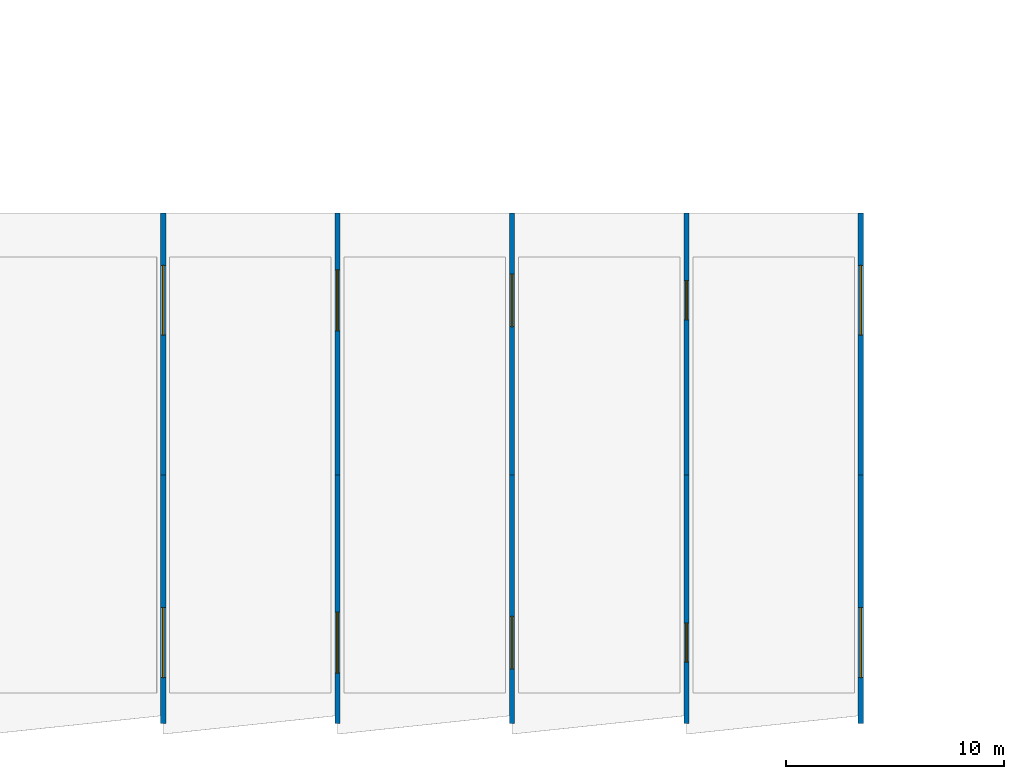
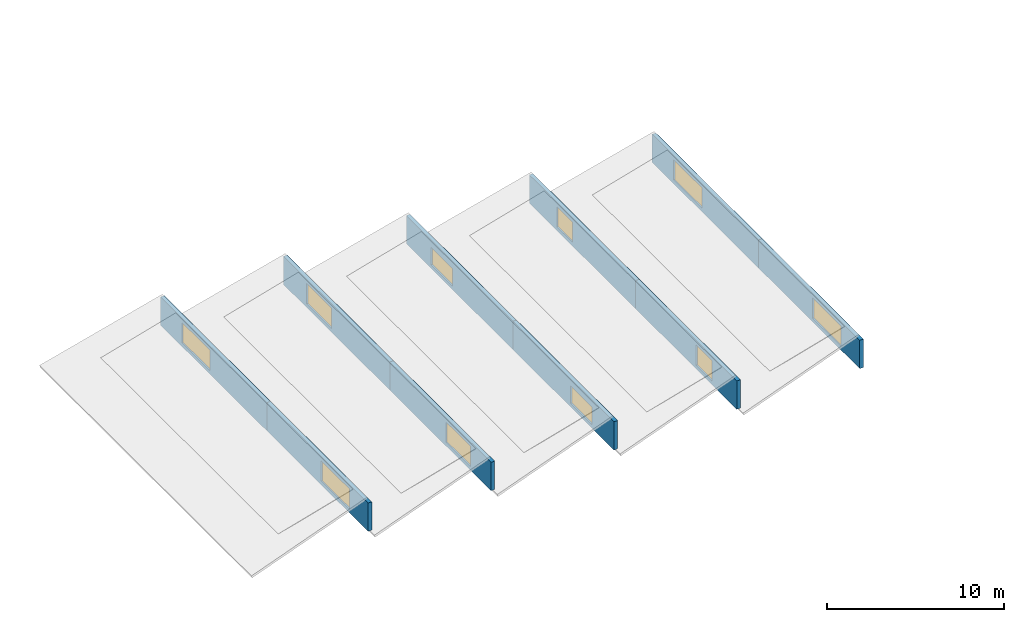
# One storey, part 25 of 35: 10 walls, 10 windows, 10 openings.
"""IFC4 building model written with IfcOpenShell, lengths in metres."""

from ifc_helpers import new_model, si_unit, direction, frame, frame_2d, origin, place, context, subcontext, project, spatial, rectangle, extrude, material, layer, layer_set, type_object, element, fill, save


model = new_model("IFC4")

# Units and contexts
model_context = context("Model", 3, precision=1e-05, world=origin(), true_north=direction((0.0, 1.0)))
body_context = subcontext(model_context, "Body", "Model", "MODEL_VIEW")
ifc_project = project(units=[si_unit("LENGTHUNIT", "METRE"), si_unit("AREAUNIT", "SQUARE_METRE"), si_unit("VOLUMEUNIT", "CUBIC_METRE"), si_unit("PLANEANGLEUNIT", "RADIAN"), si_unit("MASSUNIT", "GRAM", prefix="KILO")], contexts=[model_context])

# Site, building, storey
site_placement = place(None, origin())
site = spatial("IfcSite", under=ifc_project, at=site_placement, CompositionType="ELEMENT")
building_placement = place(site_placement, origin())
building = spatial("IfcBuilding", under=site, at=building_placement, Name="Canggui Botanical Conservatory", CompositionType="ELEMENT")
storey_placement = place(building_placement, frame((0.0, 0.0, 15.0)))
storey = spatial("IfcBuildingStorey", under=building, at=storey_placement, Name="L04", CompositionType="ELEMENT", Elevation=15.0)

# Wall, opening, window
ifc_material_1 = material(Name="Precast Concrete C40", Category="concrete")
ifc_layer = layer(ifc_material_1, 0.239990234375, Name="Precast Concrete C40", Category="concrete")
ifc_layer_set = layer_set([ifc_layer], Name="Precast Concrete C40")
wall_type = type_object("IfcWallType", Name="EW-240", PredefinedType="STANDARD", material=ifc_layer_set)
wall_1_placement = place(storey_placement, frame((34.0, 10.60009765625, 0.0), z_axis=(0.0, 0.0, 1.0), x_axis=(0.0, 1.0, 0.0)))
wall_1 = element("IfcWall", 1, at=wall_1_placement, inside=storey, type_object=wall_type, Name="Visitor Sawtooth Clerestory Wall 1A", PredefinedType="STANDARD", context=body_context, shape_type="SweptSolid", body=[
    extrude(rectangle(XDim=11.39990234375, YDim=0.239990234375, at=frame_2d((5.699951171875, 0.0))), origin(), (0.0, 0.0, 1.0), 1.949951171875),
])
opening_1_placement = place(wall_1_placement, frame((2.10009765625, 0.0, 0.25)))
opening_1 = element("IfcOpeningElement", 2, at=opening_1_placement, cuts=wall_1, Name="Opening SK-01", PredefinedType="OPENING", context=body_context, shape_type="SweptSolid", body=[
    extrude(rectangle(XDim=3.199951171875, YDim=1.39990234375, at=frame_2d((1.60009765625, 0.699951171875))), frame((0.0, 0.1298828125, 0.0), z_axis=(0.0, -1.0, 0.0), x_axis=(1.0, 0.0, 0.0)), (0.0, 0.0, 1.0), 0.260009765625),
])
ifc_material_2 = material(Name="Low-E Insulated Glass", Category="glass")
window_type_1 = type_object("IfcWindowType", Name="SKY-01", PartitioningType="SINGLE_PANEL", PredefinedType="SKYLIGHT", material=ifc_material_2)
window_1_placement = place(opening_1_placement, origin())
window_1 = element("IfcWindow", 3, at=window_1_placement, inside=storey, type_object=window_type_1, Name="Sawtooth North-Light Skylight SK-1A", OverallHeight=1.39990234375, OverallWidth=3.199951171875, PartitioningType="SINGLE_PANEL", PredefinedType="SKYLIGHT", context=body_context, shape_type="SweptSolid", body=[
    extrude(rectangle(XDim=3.199951171875, YDim=1.39990234375, at=frame_2d((1.60009765625, 0.699951171875))), frame((0.0, 0.030029296875, 0.0), z_axis=(0.0, -1.0, 0.0), x_axis=(1.0, 0.0, 0.0)), (0.0, 0.0, 1.0), 0.06005859375),
])
fill(opening_1, window_1)

wall_2_placement = place(storey_placement, frame((34.0, 22.0, 0.0), z_axis=(0.0, 0.0, 1.0), x_axis=(0.0, 1.0, 0.0)))
wall_2 = element("IfcWall", 4, at=wall_2_placement, inside=storey, type_object=wall_type, Name="Visitor Sawtooth Clerestory Wall 1B", PredefinedType="STANDARD", context=body_context, shape_type="SweptSolid", body=[
    extrude(rectangle(XDim=12.0, YDim=0.239990234375, at=frame_2d((6.0, 0.0))), origin(), (0.0, 0.0, 1.0), 1.949951171875),
])
opening_2_placement = place(wall_2_placement, frame((6.39990234375, 0.0, 0.25)))
opening_2 = element("IfcOpeningElement", 5, at=opening_2_placement, cuts=wall_2, Name="Opening SK-01", PredefinedType="OPENING", context=body_context, shape_type="SweptSolid", body=[
    extrude(rectangle(XDim=3.199951171875, YDim=1.39990234375, at=frame_2d((1.60009765625, 0.699951171875))), frame((0.0, 0.1298828125, 0.0), z_axis=(0.0, -1.0, 0.0), x_axis=(1.0, 0.0, 0.0)), (0.0, 0.0, 1.0), 0.260009765625),
])
window_2_placement = place(opening_2_placement, origin())
window_2 = element("IfcWindow", 6, at=window_2_placement, inside=storey, type_object=window_type_1, Name="Sawtooth North-Light Skylight SK-1B", OverallHeight=1.39990234375, OverallWidth=3.199951171875, PartitioningType="SINGLE_PANEL", PredefinedType="SKYLIGHT", context=body_context, shape_type="SweptSolid", body=[
    extrude(rectangle(XDim=3.199951171875, YDim=1.39990234375, at=frame_2d((1.60009765625, 0.699951171875))), frame((0.0, 0.030029296875, 0.0), z_axis=(0.0, -1.0, 0.0), x_axis=(1.0, 0.0, 0.0)), (0.0, 0.0, 1.0), 0.06005859375),
])
fill(opening_2, window_2)

wall_3_placement = place(storey_placement, frame((42.0, 10.60009765625, 0.0), z_axis=(0.0, 0.0, 1.0), x_axis=(0.0, 1.0, 0.0)))
wall_3 = element("IfcWall", 7, at=wall_3_placement, inside=storey, type_object=wall_type, Name="Visitor Sawtooth Clerestory Wall 2A", PredefinedType="STANDARD", context=body_context, shape_type="SweptSolid", body=[
    extrude(rectangle(XDim=11.39990234375, YDim=0.239990234375, at=frame_2d((5.699951171875, 0.0))), origin(), (0.0, 0.0, 1.0), 1.949951171875),
])
opening_3_placement = place(wall_3_placement, frame((2.300048828125, 0.0, 0.25)))
opening_3 = element("IfcOpeningElement", 8, at=opening_3_placement, cuts=wall_3, Name="Opening SK-02", PredefinedType="OPENING", context=body_context, shape_type="SweptSolid", body=[
    extrude(rectangle(XDim=2.800048828125, YDim=1.39990234375, at=frame_2d((1.39990234375, 0.699951171875))), frame((0.0, 0.1298828125, 0.0), z_axis=(0.0, -1.0, 0.0), x_axis=(1.0, 0.0, 0.0)), (0.0, 0.0, 1.0), 0.260009765625),
])
window_type_2 = type_object("IfcWindowType", Name="SKY-02", PartitioningType="SINGLE_PANEL", PredefinedType="SKYLIGHT", material=ifc_material_2)
window_3_placement = place(opening_3_placement, origin())
window_3 = element("IfcWindow", 9, at=window_3_placement, inside=storey, type_object=window_type_2, Name="Sawtooth North-Light Skylight SK-2A", OverallHeight=1.39990234375, OverallWidth=2.800048828125, PartitioningType="SINGLE_PANEL", PredefinedType="SKYLIGHT", context=body_context, shape_type="SweptSolid", body=[
    extrude(rectangle(XDim=2.800048828125, YDim=1.39990234375, at=frame_2d((1.39990234375, 0.699951171875))), frame((0.0, 0.030029296875, 0.0), z_axis=(0.0, -1.0, 0.0), x_axis=(1.0, 0.0, 0.0)), (0.0, 0.0, 1.0), 0.06005859375),
])
fill(opening_3, window_3)

wall_4_placement = place(storey_placement, frame((42.0, 22.0, 0.0), z_axis=(0.0, 0.0, 1.0), x_axis=(0.0, 1.0, 0.0)))
wall_4 = element("IfcWall", 10, at=wall_4_placement, inside=storey, type_object=wall_type, Name="Visitor Sawtooth Clerestory Wall 2B", PredefinedType="STANDARD", context=body_context, shape_type="SweptSolid", body=[
    extrude(rectangle(XDim=12.0, YDim=0.239990234375, at=frame_2d((6.0, 0.0))), origin(), (0.0, 0.0, 1.0), 1.949951171875),
])
opening_4_placement = place(wall_4_placement, frame((6.60009765625, 0.0, 0.25)))
opening_4 = element("IfcOpeningElement", 11, at=opening_4_placement, cuts=wall_4, Name="Opening SK-02", PredefinedType="OPENING", context=body_context, shape_type="SweptSolid", body=[
    extrude(rectangle(XDim=2.800048828125, YDim=1.39990234375, at=frame_2d((1.39990234375, 0.699951171875))), frame((0.0, 0.1298828125, 0.0), z_axis=(0.0, -1.0, 0.0), x_axis=(1.0, 0.0, 0.0)), (0.0, 0.0, 1.0), 0.260009765625),
])
window_4_placement = place(opening_4_placement, origin())
window_4 = element("IfcWindow", 12, at=window_4_placement, inside=storey, type_object=window_type_2, Name="Sawtooth North-Light Skylight SK-2B", OverallHeight=1.39990234375, OverallWidth=2.800048828125, PartitioningType="SINGLE_PANEL", PredefinedType="SKYLIGHT", context=body_context, shape_type="SweptSolid", body=[
    extrude(rectangle(XDim=2.800048828125, YDim=1.39990234375, at=frame_2d((1.39990234375, 0.699951171875))), frame((0.0, 0.030029296875, 0.0), z_axis=(0.0, -1.0, 0.0), x_axis=(1.0, 0.0, 0.0)), (0.0, 0.0, 1.0), 0.06005859375),
])
fill(opening_4, window_4)

wall_5_placement = place(storey_placement, frame((50.0, 10.60009765625, 0.0), z_axis=(0.0, 0.0, 1.0), x_axis=(0.0, 1.0, 0.0)))
wall_5 = element("IfcWall", 13, at=wall_5_placement, inside=storey, type_object=wall_type, Name="Visitor Sawtooth Clerestory Wall 3A", PredefinedType="STANDARD", context=body_context, shape_type="SweptSolid", body=[
    extrude(rectangle(XDim=11.39990234375, YDim=0.239990234375, at=frame_2d((5.699951171875, 0.0))), origin(), (0.0, 0.0, 1.0), 1.949951171875),
])
opening_5_placement = place(wall_5_placement, frame((2.5, 0.0, 0.25)))
opening_5 = element("IfcOpeningElement", 14, at=opening_5_placement, cuts=wall_5, Name="Opening SK-03", PredefinedType="OPENING", context=body_context, shape_type="SweptSolid", body=[
    extrude(rectangle(XDim=2.39990234375, YDim=1.199951171875, at=frame_2d((1.199951171875, 0.60009765625))), frame((0.0, 0.1298828125, 0.0), z_axis=(0.0, -1.0, 0.0), x_axis=(1.0, 0.0, 0.0)), (0.0, 0.0, 1.0), 0.260009765625),
])
window_type_3 = type_object("IfcWindowType", Name="SKY-03", PartitioningType="SINGLE_PANEL", PredefinedType="SKYLIGHT", material=ifc_material_2)
window_5_placement = place(opening_5_placement, origin())
window_5 = element("IfcWindow", 15, at=window_5_placement, inside=storey, type_object=window_type_3, Name="Sawtooth North-Light Skylight SK-3A", OverallHeight=1.199951171875, OverallWidth=2.39990234375, PartitioningType="SINGLE_PANEL", PredefinedType="SKYLIGHT", context=body_context, shape_type="SweptSolid", body=[
    extrude(rectangle(XDim=2.39990234375, YDim=1.199951171875, at=frame_2d((1.199951171875, 0.60009765625))), frame((0.0, 0.030029296875, 0.0), z_axis=(0.0, -1.0, 0.0), x_axis=(1.0, 0.0, 0.0)), (0.0, 0.0, 1.0), 0.06005859375),
])
fill(opening_5, window_5)

wall_6_placement = place(storey_placement, frame((50.0, 22.0, 0.0), z_axis=(0.0, 0.0, 1.0), x_axis=(0.0, 1.0, 0.0)))
wall_6 = element("IfcWall", 16, at=wall_6_placement, inside=storey, type_object=wall_type, Name="Visitor Sawtooth Clerestory Wall 3B", PredefinedType="STANDARD", context=body_context, shape_type="SweptSolid", body=[
    extrude(rectangle(XDim=12.0, YDim=0.239990234375, at=frame_2d((6.0, 0.0))), origin(), (0.0, 0.0, 1.0), 1.949951171875),
])
opening_6_placement = place(wall_6_placement, frame((6.800048828125, 0.0, 0.25)))
opening_6 = element("IfcOpeningElement", 17, at=opening_6_placement, cuts=wall_6, Name="Opening SK-03", PredefinedType="OPENING", context=body_context, shape_type="SweptSolid", body=[
    extrude(rectangle(XDim=2.39990234375, YDim=1.199951171875, at=frame_2d((1.199951171875, 0.60009765625))), frame((0.0, 0.1298828125, 0.0), z_axis=(0.0, -1.0, 0.0), x_axis=(1.0, 0.0, 0.0)), (0.0, 0.0, 1.0), 0.260009765625),
])
window_6_placement = place(opening_6_placement, origin())
window_6 = element("IfcWindow", 18, at=window_6_placement, inside=storey, type_object=window_type_3, Name="Sawtooth North-Light Skylight SK-3B", OverallHeight=1.199951171875, OverallWidth=2.39990234375, PartitioningType="SINGLE_PANEL", PredefinedType="SKYLIGHT", context=body_context, shape_type="SweptSolid", body=[
    extrude(rectangle(XDim=2.39990234375, YDim=1.199951171875, at=frame_2d((1.199951171875, 0.60009765625))), frame((0.0, 0.030029296875, 0.0), z_axis=(0.0, -1.0, 0.0), x_axis=(1.0, 0.0, 0.0)), (0.0, 0.0, 1.0), 0.06005859375),
])
fill(opening_6, window_6)

wall_7_placement = place(storey_placement, frame((58.0, 10.60009765625, 0.0), z_axis=(0.0, 0.0, 1.0), x_axis=(0.0, 1.0, 0.0)))
wall_7 = element("IfcWall", 19, at=wall_7_placement, inside=storey, type_object=wall_type, Name="Visitor Sawtooth Clerestory Wall 4A", PredefinedType="STANDARD", context=body_context, shape_type="SweptSolid", body=[
    extrude(rectangle(XDim=11.39990234375, YDim=0.239990234375, at=frame_2d((5.699951171875, 0.0))), origin(), (0.0, 0.0, 1.0), 1.949951171875),
])
opening_7_placement = place(wall_7_placement, frame((2.800048828125, 0.0, 0.25)))
opening_7 = element("IfcOpeningElement", 20, at=opening_7_placement, cuts=wall_7, Name="Opening SK-04", PredefinedType="OPENING", context=body_context, shape_type="SweptSolid", body=[
    extrude(rectangle(XDim=1.800048828125, YDim=1.39990234375, at=frame_2d((0.89990234375, 0.699951171875))), frame((0.0, 0.1298828125, 0.0), z_axis=(0.0, -1.0, 0.0), x_axis=(1.0, 0.0, 0.0)), (0.0, 0.0, 1.0), 0.260009765625),
])
window_type_4 = type_object("IfcWindowType", Name="SKY-04", PartitioningType="SINGLE_PANEL", PredefinedType="SKYLIGHT", material=ifc_material_2)
window_7_placement = place(opening_7_placement, origin())
window_7 = element("IfcWindow", 21, at=window_7_placement, inside=storey, type_object=window_type_4, Name="Sawtooth North-Light Skylight SK-4A", OverallHeight=1.39990234375, OverallWidth=1.800048828125, PartitioningType="SINGLE_PANEL", PredefinedType="SKYLIGHT", context=body_context, shape_type="SweptSolid", body=[
    extrude(rectangle(XDim=1.800048828125, YDim=1.39990234375, at=frame_2d((0.89990234375, 0.699951171875))), frame((0.0, 0.030029296875, 0.0), z_axis=(0.0, -1.0, 0.0), x_axis=(1.0, 0.0, 0.0)), (0.0, 0.0, 1.0), 0.06005859375),
])
fill(opening_7, window_7)

wall_8_placement = place(storey_placement, frame((58.0, 22.0, 0.0), z_axis=(0.0, 0.0, 1.0), x_axis=(0.0, 1.0, 0.0)))
wall_8 = element("IfcWall", 22, at=wall_8_placement, inside=storey, type_object=wall_type, Name="Visitor Sawtooth Clerestory Wall 4B", PredefinedType="STANDARD", context=body_context, shape_type="SweptSolid", body=[
    extrude(rectangle(XDim=12.0, YDim=0.239990234375, at=frame_2d((6.0, 0.0))), origin(), (0.0, 0.0, 1.0), 1.949951171875),
])
opening_8_placement = place(wall_8_placement, frame((7.10009765625, 0.0, 0.25)))
opening_8 = element("IfcOpeningElement", 23, at=opening_8_placement, cuts=wall_8, Name="Opening SK-04", PredefinedType="OPENING", context=body_context, shape_type="SweptSolid", body=[
    extrude(rectangle(XDim=1.800048828125, YDim=1.39990234375, at=frame_2d((0.89990234375, 0.699951171875))), frame((0.0, 0.1298828125, 0.0), z_axis=(0.0, -1.0, 0.0), x_axis=(1.0, 0.0, 0.0)), (0.0, 0.0, 1.0), 0.260009765625),
])
window_8_placement = place(opening_8_placement, origin())
window_8 = element("IfcWindow", 24, at=window_8_placement, inside=storey, type_object=window_type_4, Name="Sawtooth North-Light Skylight SK-4B", OverallHeight=1.39990234375, OverallWidth=1.800048828125, PartitioningType="SINGLE_PANEL", PredefinedType="SKYLIGHT", context=body_context, shape_type="SweptSolid", body=[
    extrude(rectangle(XDim=1.800048828125, YDim=1.39990234375, at=frame_2d((0.89990234375, 0.699951171875))), frame((0.0, 0.030029296875, 0.0), z_axis=(0.0, -1.0, 0.0), x_axis=(1.0, 0.0, 0.0)), (0.0, 0.0, 1.0), 0.06005859375),
])
fill(opening_8, window_8)

wall_9_placement = place(storey_placement, frame((66.0, 10.60009765625, 0.0), z_axis=(0.0, 0.0, 1.0), x_axis=(0.0, 1.0, 0.0)))
wall_9 = element("IfcWall", 25, at=wall_9_placement, inside=storey, type_object=wall_type, Name="Visitor Sawtooth Clerestory Wall 5A", PredefinedType="STANDARD", context=body_context, shape_type="SweptSolid", body=[
    extrude(rectangle(XDim=11.39990234375, YDim=0.239990234375, at=frame_2d((5.699951171875, 0.0))), origin(), (0.0, 0.0, 1.0), 1.949951171875),
])
opening_9_placement = place(wall_9_placement, frame((2.10009765625, 0.0, 0.25)))
opening_9 = element("IfcOpeningElement", 26, at=opening_9_placement, cuts=wall_9, Name="Opening SK-01", PredefinedType="OPENING", context=body_context, shape_type="SweptSolid", body=[
    extrude(rectangle(XDim=3.199951171875, YDim=1.39990234375, at=frame_2d((1.60009765625, 0.699951171875))), frame((0.0, 0.1298828125, 0.0), z_axis=(0.0, -1.0, 0.0), x_axis=(1.0, 0.0, 0.0)), (0.0, 0.0, 1.0), 0.260009765625),
])
window_9_placement = place(opening_9_placement, origin())
window_9 = element("IfcWindow", 27, at=window_9_placement, inside=storey, type_object=window_type_1, Name="Sawtooth North-Light Skylight SK-5A", OverallHeight=1.39990234375, OverallWidth=3.199951171875, PartitioningType="SINGLE_PANEL", PredefinedType="SKYLIGHT", context=body_context, shape_type="SweptSolid", body=[
    extrude(rectangle(XDim=3.199951171875, YDim=1.39990234375, at=frame_2d((1.60009765625, 0.699951171875))), frame((0.0, 0.030029296875, 0.0), z_axis=(0.0, -1.0, 0.0), x_axis=(1.0, 0.0, 0.0)), (0.0, 0.0, 1.0), 0.06005859375),
])
fill(opening_9, window_9)

wall_10_placement = place(storey_placement, frame((66.0, 22.0, 0.0), z_axis=(0.0, 0.0, 1.0), x_axis=(0.0, 1.0, 0.0)))
wall_10 = element("IfcWall", 28, at=wall_10_placement, inside=storey, type_object=wall_type, Name="Visitor Sawtooth Clerestory Wall 5B", PredefinedType="STANDARD", context=body_context, shape_type="SweptSolid", body=[
    extrude(rectangle(XDim=12.0, YDim=0.239990234375, at=frame_2d((6.0, 0.0))), origin(), (0.0, 0.0, 1.0), 1.949951171875),
])
opening_10_placement = place(wall_10_placement, frame((6.39990234375, 0.0, 0.25)))
opening_10 = element("IfcOpeningElement", 29, at=opening_10_placement, cuts=wall_10, Name="Opening SK-01", PredefinedType="OPENING", context=body_context, shape_type="SweptSolid", body=[
    extrude(rectangle(XDim=3.199951171875, YDim=1.39990234375, at=frame_2d((1.60009765625, 0.699951171875))), frame((0.0, 0.1298828125, 0.0), z_axis=(0.0, -1.0, 0.0), x_axis=(1.0, 0.0, 0.0)), (0.0, 0.0, 1.0), 0.260009765625),
])
window_10_placement = place(opening_10_placement, origin())
window_10 = element("IfcWindow", 30, at=window_10_placement, inside=storey, type_object=window_type_1, Name="Sawtooth North-Light Skylight SK-5B", OverallHeight=1.39990234375, OverallWidth=3.199951171875, PartitioningType="SINGLE_PANEL", PredefinedType="SKYLIGHT", context=body_context, shape_type="SweptSolid", body=[
    extrude(rectangle(XDim=3.199951171875, YDim=1.39990234375, at=frame_2d((1.60009765625, 0.699951171875))), frame((0.0, 0.030029296875, 0.0), z_axis=(0.0, -1.0, 0.0), x_axis=(1.0, 0.0, 0.0)), (0.0, 0.0, 1.0), 0.06005859375),
])
fill(opening_10, window_10)

save(model, "model.ifc")
